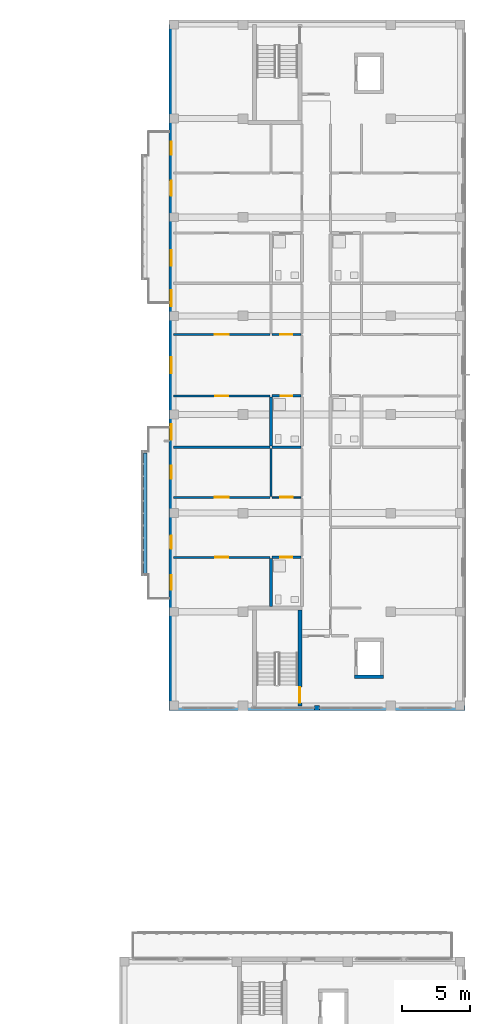
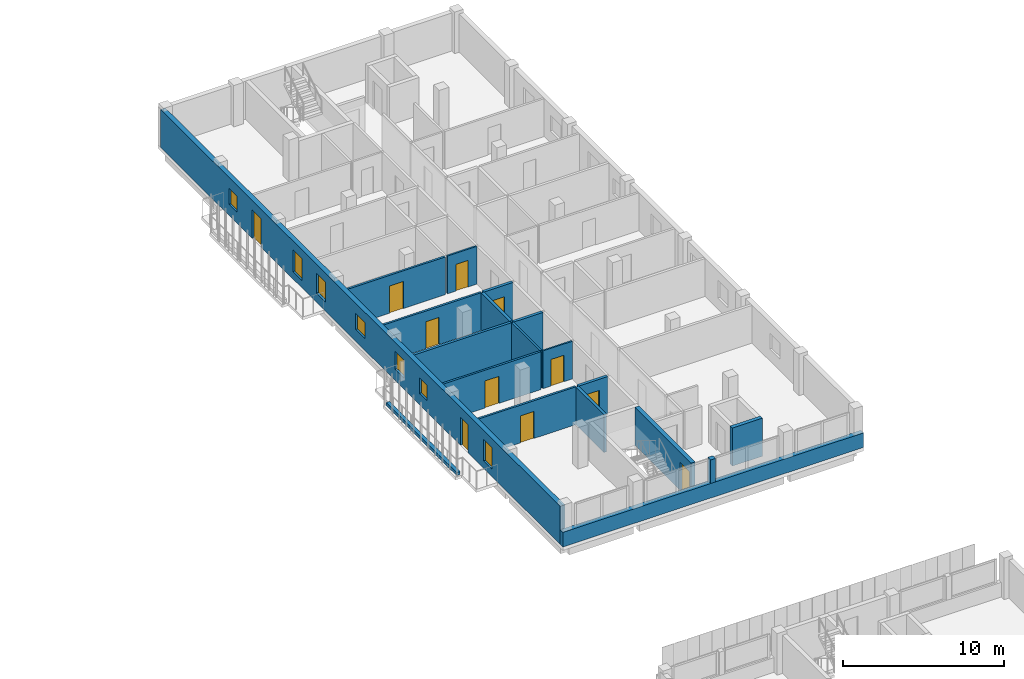
# One storey, part 36 of 56: 19 walls, 11 doors, 7 windows, 18 openings.
"""IFC4 building model written with IfcOpenShell, lengths in metres."""

from ifc_helpers import new_model, si_unit, derived_unit, direction, frame, frame_2d, origin, place, context, subcontext, project, spatial, rectangle, extrude, material, layer, layer_set, type_object, element, fill, save


model = new_model("IFC4")

# Units and contexts
model_context = context("Model", 3, precision=1e-05, world=origin(), true_north=direction((0.0, 1.0)))
body_context = subcontext(model_context, "Body", "Model", "MODEL_VIEW")
ifc_project = project(units=[si_unit("LENGTHUNIT", "METRE"), si_unit("AREAUNIT", "SQUARE_METRE"), si_unit("VOLUMEUNIT", "CUBIC_METRE"), si_unit("PLANEANGLEUNIT", "RADIAN"), si_unit("MASSUNIT", "GRAM", prefix="KILO"), derived_unit("THERMALTRANSMITTANCEUNIT", [(si_unit("MASSUNIT", "GRAM", prefix="KILO"), 1), (si_unit("TIMEUNIT", "SECOND"), -3), (si_unit("THERMODYNAMICTEMPERATUREUNIT", "KELVIN"), -1)])], contexts=[model_context])

# Site, building, storey
site_placement = place(None, origin())
site = spatial("IfcSite", under=ifc_project, at=site_placement, CompositionType="ELEMENT")
building_placement = place(site_placement, origin())
building = spatial("IfcBuilding", under=site, at=building_placement, Name="Ochrekiln Boulevard Commons", CompositionType="ELEMENT")
storey_placement = place(building_placement, frame((0.0, 0.0, 12.074951171875)))
storey = spatial("IfcBuildingStorey", under=building, at=storey_placement, Name="L03", CompositionType="ELEMENT", Elevation=12.074951171875)

# Wall, openings, doors, windows
ifc_material_1 = material(Name="Iron-spot brown clinker brick masonry ASTM C216 Grade SW", Category="masonry")
ifc_layer_1 = layer(ifc_material_1, 0.340087890625)
ifc_layer_set_1 = layer_set([ifc_layer_1], Name="Iron-spot brown clinker brick masonry ASTM C216 Grade SW")
wall_type_1 = type_object("IfcWallType", Name="WL-EXT-IRON-340", PredefinedType="SOLIDWALL", material=ifc_layer_set_1)
wall_1_placement = place(storey_placement, frame((151.3701171875, 68.739990234375, 0.0), z_axis=(0.0, 0.0, 1.0), x_axis=(0.0, 1.0, 0.0)))
wall_1 = element("IfcWall", 1, at=wall_1_placement, inside=storey, type_object=wall_type_1, Name="Block B L03 W Exterior Wall", PredefinedType="SOLIDWALL", context=body_context, shape_type="SweptSolid", body=[
    extrude(rectangle(XDim=49.719970703125, YDim=0.340087890625, at=frame_2d((24.85986328125, 0.0))), origin(), (0.0, 0.0, 1.0), 2.89013671875),
])
opening_1_placement = place(wall_1_placement, frame((11.4619140625, 0.0, 0.0)))
opening_1 = element("IfcOpeningElement", 2, at=opening_1_placement, cuts=wall_1, Name="Opening D-L03-BL025", PredefinedType="OPENING", context=body_context, shape_type="SweptSolid", body=[
    extrude(rectangle(XDim=0.949951171875, YDim=2.14990234375, at=frame_2d((0.47509765625, 1.074951171875))), frame((0.0, 0.179931640625, 0.0), z_axis=(0.0, -1.0, 0.0), x_axis=(1.0, 0.0, 0.0)), (0.0, 0.0, 1.0), 0.360107421875),
])
opening_2_placement = place(wall_1_placement, frame((8.48095703125, 0.0, 0.554931640625)))
opening_2 = element("IfcOpeningElement", 3, at=opening_2_placement, cuts=wall_1, Name="Opening W-09", PredefinedType="OPENING", context=body_context, shape_type="SweptSolid", body=[
    extrude(rectangle(XDim=1.050048828125, YDim=1.64990234375, at=frame_2d((0.52490234375, 0.824951171875))), frame((0.0, 0.179931640625, 0.0), z_axis=(0.0, -1.0, 0.0), x_axis=(1.0, 0.0, 0.0)), (0.0, 0.0, 1.0), 0.360107421875),
])
opening_3_placement = place(wall_1_placement, frame((16.56494140625, 0.0, 0.85009765625)))
opening_3 = element("IfcOpeningElement", 4, at=opening_3_placement, cuts=wall_1, Name="Opening W-01", PredefinedType="OPENING", context=body_context, shape_type="SweptSolid", body=[
    extrude(rectangle(XDim=0.949951171875, YDim=1.199951171875, at=frame_2d((0.47509765625, 0.60009765625))), frame((0.0, 0.179931640625, 0.0), z_axis=(0.0, -1.0, 0.0), x_axis=(1.0, 0.0, 0.0)), (0.0, 0.0, 1.0), 0.360107421875),
])
opening_4_placement = place(wall_1_placement, frame((24.284912109375, 0.0, 0.89990234375)))
opening_4 = element("IfcOpeningElement", 5, at=opening_4_placement, cuts=wall_1, Name="Opening W-11", PredefinedType="OPENING", context=body_context, shape_type="SweptSolid", body=[
    extrude(rectangle(XDim=1.14990234375, YDim=1.199951171875, at=frame_2d((0.574951171875, 0.60009765625))), frame((0.0, 0.179931640625, 0.0), z_axis=(0.0, -1.0, 0.0), x_axis=(1.0, 0.0, 0.0)), (0.0, 0.0, 1.0), 0.360107421875),
])
opening_5_placement = place(wall_1_placement, frame((19.403076171875, 0.0, 0.85498046875)))
opening_5 = element("IfcOpeningElement", 6, at=opening_5_placement, cuts=wall_1, Name="Opening W-12", PredefinedType="OPENING", context=body_context, shape_type="SweptSolid", body=[
    extrude(rectangle(XDim=1.14990234375, YDim=1.35009765625, at=frame_2d((0.574951171875, 0.675048828125))), frame((0.0, 0.179931640625, 0.0), z_axis=(0.0, -1.0, 0.0), x_axis=(1.0, 0.0, 0.0)), (0.0, 0.0, 1.0), 0.360107421875),
])
opening_6_placement = place(wall_1_placement, frame((29.1669921875, 0.0, 0.705078125)))
opening_6 = element("IfcOpeningElement", 7, at=opening_6_placement, cuts=wall_1, Name="Opening W-13", PredefinedType="OPENING", context=body_context, shape_type="SweptSolid", body=[
    extrude(rectangle(XDim=1.14990234375, YDim=1.5, at=frame_2d((0.574951171875, 0.75))), frame((0.0, 0.179931640625, 0.0), z_axis=(0.0, -1.0, 0.0), x_axis=(1.0, 0.0, 0.0)), (0.0, 0.0, 1.0), 0.360107421875),
])
opening_7_placement = place(wall_1_placement, frame((37.242919921875, 0.0, 0.0)))
opening_7 = element("IfcOpeningElement", 8, at=opening_7_placement, cuts=wall_1, Name="Opening D-L03-BL026", PredefinedType="OPENING", context=body_context, shape_type="SweptSolid", body=[
    extrude(rectangle(XDim=1.080078125, YDim=2.179931640625, at=frame_2d((0.5400390625, 1.08984375))), frame((0.0, 0.179931640625, 0.0), z_axis=(0.0, -1.0, 0.0), x_axis=(1.0, 0.0, 0.0)), (0.0, 0.0, 1.0), 0.360107421875),
])
opening_8_placement = place(wall_1_placement, frame((32.10595703125, 0.0, 0.554931640625)))
opening_8 = element("IfcOpeningElement", 9, at=opening_8_placement, cuts=wall_1, Name="Opening W-14", PredefinedType="OPENING", context=body_context, shape_type="SweptSolid", body=[
    extrude(rectangle(XDim=1.14990234375, YDim=1.64990234375, at=frame_2d((0.574951171875, 0.824951171875))), frame((0.0, 0.179931640625, 0.0), z_axis=(0.0, -1.0, 0.0), x_axis=(1.0, 0.0, 0.0)), (0.0, 0.0, 1.0), 0.360107421875),
])
opening_9_placement = place(wall_1_placement, frame((40.239013671875, 0.0, 0.85009765625)))
opening_9 = element("IfcOpeningElement", 10, at=opening_9_placement, cuts=wall_1, Name="Opening W-01", PredefinedType="OPENING", context=body_context, shape_type="SweptSolid", body=[
    extrude(rectangle(XDim=0.949951171875, YDim=1.199951171875, at=frame_2d((0.47509765625, 0.60009765625))), frame((0.0, 0.179931640625, 0.0), z_axis=(0.0, -1.0, 0.0), x_axis=(1.0, 0.0, 0.0)), (0.0, 0.0, 1.0), 0.360107421875),
])
ifc_material_2 = material(Name="Thermally broken aluminium-clad oak frame", Category="aluminium")
door_type_1 = type_object("IfcDoorType", Name="DR-EXT-BAL-095", OperationType="NOTDEFINED", PredefinedType="DOOR", material=ifc_material_2)
door_1_placement = place(opening_1_placement, origin())
door_1 = element("IfcDoor", 11, at=door_1_placement, inside=storey, type_object=door_type_1, Name="Block B L03 Glazed Balcony Patio Door", OperationType="SINGLE_SWING_RIGHT", OverallHeight=2.14990234375, OverallWidth=0.949951171875, PredefinedType="DOOR", context=body_context, shape_type="SweptSolid", body=[
    extrude(rectangle(XDim=0.949951171875, YDim=2.14990234375, at=frame_2d((0.47509765625, 1.074951171875))), frame((0.0, 0.02490234375, 0.0), z_axis=(0.0, -1.0, 0.0), x_axis=(1.0, 0.0, 0.0)), (0.0, 0.0, 1.0), 0.050048828125),
])
fill(opening_1, door_1)
door_type_2 = type_object("IfcDoorType", Name="DR-EXT-BAL-108", OperationType="NOTDEFINED", PredefinedType="DOOR", material=ifc_material_2)
door_2_placement = place(opening_7_placement, origin())
door_2 = element("IfcDoor", 12, at=door_2_placement, inside=storey, type_object=door_type_2, Name="Block B L03 Glazed Balcony Patio Door", OperationType="SINGLE_SWING_LEFT", OverallHeight=2.179931640625, OverallWidth=1.080078125, PredefinedType="DOOR", context=body_context, shape_type="SweptSolid", body=[
    extrude(rectangle(XDim=1.080078125, YDim=2.179931640625, at=frame_2d((0.5400390625, 1.08984375))), frame((0.0, 0.02490234375, 0.0), z_axis=(0.0, -1.0, 0.0), x_axis=(1.0, 0.0, 0.0)), (0.0, 0.0, 1.0), 0.050048828125),
])
fill(opening_7, door_2)
window_type_1 = type_object("IfcWindowType", Name="WIN-EXT-01", PartitioningType="SINGLE_PANEL", PredefinedType="WINDOW", material=ifc_material_2)
window_1_placement = place(opening_3_placement, origin())
window_1 = element("IfcWindow", 13, at=window_1_placement, inside=storey, type_object=window_type_1, Name="Block B L03 Punched Masonry Window W-01", OverallHeight=1.199951171875, OverallWidth=0.949951171875, PartitioningType="SINGLE_PANEL", PredefinedType="WINDOW", context=body_context, shape_type="SweptSolid", body=[
    extrude(rectangle(XDim=0.949951171875, YDim=1.199951171875, at=frame_2d((0.47509765625, 0.60009765625))), frame((0.0, 0.030029296875, 0.0), z_axis=(0.0, -1.0, 0.0), x_axis=(1.0, 0.0, 0.0)), (0.0, 0.0, 1.0), 0.06005859375),
])
fill(opening_3, window_1)
window_2_placement = place(opening_9_placement, origin())
window_2 = element("IfcWindow", 14, at=window_2_placement, inside=storey, type_object=window_type_1, Name="Block B L03 Punched Masonry Window W-01", OverallHeight=1.199951171875, OverallWidth=0.949951171875, PartitioningType="SINGLE_PANEL", PredefinedType="WINDOW", context=body_context, shape_type="SweptSolid", body=[
    extrude(rectangle(XDim=0.949951171875, YDim=1.199951171875, at=frame_2d((0.47509765625, 0.60009765625))), frame((0.0, 0.030029296875, 0.0), z_axis=(0.0, -1.0, 0.0), x_axis=(1.0, 0.0, 0.0)), (0.0, 0.0, 1.0), 0.06005859375),
])
fill(opening_9, window_2)
window_type_2 = type_object("IfcWindowType", Name="WIN-EXT-09", PartitioningType="SINGLE_PANEL", PredefinedType="WINDOW", material=ifc_material_2)
window_3_placement = place(opening_2_placement, origin())
window_3 = element("IfcWindow", 15, at=window_3_placement, inside=storey, type_object=window_type_2, Name="Block B L03 Punched Masonry Window W-09", OverallHeight=1.64990234375, OverallWidth=1.050048828125, PartitioningType="SINGLE_PANEL", PredefinedType="WINDOW", context=body_context, shape_type="SweptSolid", body=[
    extrude(rectangle(XDim=1.050048828125, YDim=1.64990234375, at=frame_2d((0.52490234375, 0.824951171875))), frame((0.0, 0.030029296875, 0.0), z_axis=(0.0, -1.0, 0.0), x_axis=(1.0, 0.0, 0.0)), (0.0, 0.0, 1.0), 0.06005859375),
])
fill(opening_2, window_3)
window_type_3 = type_object("IfcWindowType", Name="WIN-EXT-11", PartitioningType="SINGLE_PANEL", PredefinedType="WINDOW", material=ifc_material_2)
window_4_placement = place(opening_4_placement, origin())
window_4 = element("IfcWindow", 16, at=window_4_placement, inside=storey, type_object=window_type_3, Name="Block B L03 Punched Masonry Window W-11", OverallHeight=1.199951171875, OverallWidth=1.14990234375, PartitioningType="SINGLE_PANEL", PredefinedType="WINDOW", context=body_context, shape_type="SweptSolid", body=[
    extrude(rectangle(XDim=1.14990234375, YDim=1.199951171875, at=frame_2d((0.574951171875, 0.60009765625))), frame((0.0, 0.030029296875, 0.0), z_axis=(0.0, -1.0, 0.0), x_axis=(1.0, 0.0, 0.0)), (0.0, 0.0, 1.0), 0.06005859375),
])
fill(opening_4, window_4)
window_type_4 = type_object("IfcWindowType", Name="WIN-EXT-12", PartitioningType="SINGLE_PANEL", PredefinedType="WINDOW", material=ifc_material_2)
window_5_placement = place(opening_5_placement, origin())
window_5 = element("IfcWindow", 17, at=window_5_placement, inside=storey, type_object=window_type_4, Name="Block B L03 Punched Masonry Window W-12", OverallHeight=1.35009765625, OverallWidth=1.14990234375, PartitioningType="SINGLE_PANEL", PredefinedType="WINDOW", context=body_context, shape_type="SweptSolid", body=[
    extrude(rectangle(XDim=1.14990234375, YDim=1.35009765625, at=frame_2d((0.574951171875, 0.675048828125))), frame((0.0, 0.030029296875, 0.0), z_axis=(0.0, -1.0, 0.0), x_axis=(1.0, 0.0, 0.0)), (0.0, 0.0, 1.0), 0.06005859375),
])
fill(opening_5, window_5)
window_type_5 = type_object("IfcWindowType", Name="WIN-EXT-13", PartitioningType="SINGLE_PANEL", PredefinedType="WINDOW", material=ifc_material_2)
window_6_placement = place(opening_6_placement, origin())
window_6 = element("IfcWindow", 18, at=window_6_placement, inside=storey, type_object=window_type_5, Name="Block B L03 Punched Masonry Window W-13", OverallHeight=1.5, OverallWidth=1.14990234375, PartitioningType="SINGLE_PANEL", PredefinedType="WINDOW", context=body_context, shape_type="SweptSolid", body=[
    extrude(rectangle(XDim=1.14990234375, YDim=1.5, at=frame_2d((0.574951171875, 0.75))), frame((0.0, 0.030029296875, 0.0), z_axis=(0.0, -1.0, 0.0), x_axis=(1.0, 0.0, 0.0)), (0.0, 0.0, 1.0), 0.06005859375),
])
fill(opening_6, window_6)
window_type_6 = type_object("IfcWindowType", Name="WIN-EXT-14", PartitioningType="SINGLE_PANEL", PredefinedType="WINDOW", material=ifc_material_2)
window_7_placement = place(opening_8_placement, origin())
window_7 = element("IfcWindow", 19, at=window_7_placement, inside=storey, type_object=window_type_6, Name="Block B L03 Punched Masonry Window W-14", OverallHeight=1.64990234375, OverallWidth=1.14990234375, PartitioningType="SINGLE_PANEL", PredefinedType="WINDOW", context=body_context, shape_type="SweptSolid", body=[
    extrude(rectangle(XDim=1.14990234375, YDim=1.64990234375, at=frame_2d((0.574951171875, 0.824951171875))), frame((0.0, 0.030029296875, 0.0), z_axis=(0.0, -1.0, 0.0), x_axis=(1.0, 0.0, 0.0)), (0.0, 0.0, 1.0), 0.06005859375),
])
fill(opening_8, window_7)

# Walls
wall_2_placement = place(storey_placement, frame((151.199951171875, 68.570068359375, 0.0), z_axis=(0.0, 0.0, 1.0), x_axis=(1.0, 0.0, 0.0)))
element("IfcWall", 20, at=wall_2_placement, inside=storey, type_object=wall_type_1, Name="Block B L03 Courtyard Gable Sill Wall", PredefinedType="SOLIDWALL", context=body_context, shape_type="SweptSolid", body=[
    extrude(rectangle(XDim=21.60009765625, YDim=0.340087890625, at=frame_2d((10.800048828125, 0.0))), origin(), (0.0, 0.0, 1.0), 1.110107421875),
])
wall_3_placement = place(storey_placement, frame((161.820068359375, 68.570068359375, 1.110107421875), z_axis=(0.0, 0.0, 1.0), x_axis=(1.0, 0.0, 0.0)))
element("IfcWall", 21, at=wall_3_placement, inside=storey, type_object=wall_type_1, Name="Block B L03 Courtyard Gable Mullion Pier", PredefinedType="SOLIDWALL", context=body_context, shape_type="SweptSolid", body=[
    extrude(rectangle(XDim=0.35986328125, YDim=0.340087890625, at=frame_2d((0.179931640625, 0.0))), origin(), (0.0, 0.0, 1.0), 1.780029296875),
])

# Wall, opening, door
ifc_material_3 = material(Name="Moisture-resistant cementitious tile backer wall")
ifc_layer_2 = layer(ifc_material_3, 0.199951171875)
ifc_layer_set_2 = layer_set([ifc_layer_2], Name="Moisture-resistant cementitious tile backer wall")
wall_type_2 = type_object("IfcWallType", Name="WL-PLM-200", PredefinedType="PLUMBINGWALL", material=ifc_layer_set_2)
wall_4_placement = place(storey_placement, frame((158.719970703125, 79.572998046875, 0.0), z_axis=(0.0, 0.0, 1.0), x_axis=(1.0, 0.0, 0.0)))
wall_4 = element("IfcWall", 22, at=wall_4_placement, inside=storey, type_object=wall_type_2, Name="L03 Interior Wall W-PW200", PredefinedType="PLUMBINGWALL", context=body_context, shape_type="SweptSolid", body=[
    extrude(rectangle(XDim=2.10693359375, YDim=0.199951171875, at=frame_2d((1.053466796875, 0.0))), origin(), (0.0, 0.0, 1.0), 2.8701171875),
])
opening_10_placement = place(wall_4_placement, frame((0.60498046875, 0.0, 0.0)))
opening_10 = element("IfcOpeningElement", 23, at=opening_10_placement, cuts=wall_4, Name="Opening D-L03-482", PredefinedType="OPENING", context=body_context, shape_type="SweptSolid", body=[
    extrude(rectangle(XDim=0.889892578125, YDim=2.030029296875, at=frame_2d((0.44482421875, 1.01513671875))), frame((0.0, 0.10986328125, 0.0), z_axis=(0.0, -1.0, 0.0), x_axis=(1.0, 0.0, 0.0)), (0.0, 0.0, 1.0), 0.219970703125),
])
ifc_material_4 = material(Name="Solid core architectural oak door leaf")
door_type_3 = type_object("IfcDoorType", Name="DR-INT-BTH-089", OperationType="NOTDEFINED", PredefinedType="DOOR", material=ifc_material_4)
door_3_placement = place(opening_10_placement, frame((0.889892578125, 0.0, 0.0), z_axis=(0.0, 0.0, 1.0), x_axis=(-1.0, 0.0, 0.0)))
door_3 = element("IfcDoor", 24, at=door_3_placement, inside=storey, type_object=door_type_3, Name="L03 Interior Door to Accessible Apartment Bathroom", OperationType="SINGLE_SWING_RIGHT", OverallHeight=2.030029296875, OverallWidth=0.889892578125, PredefinedType="DOOR", context=body_context, shape_type="SweptSolid", body=[
    extrude(rectangle(XDim=0.889892578125, YDim=2.030029296875, at=frame_2d((0.44482421875, 1.01513671875))), frame((0.0, 0.02490234375, 0.0), z_axis=(0.0, -1.0, 0.0), x_axis=(1.0, 0.0, 0.0)), (0.0, 0.0, 1.0), 0.050048828125),
])
fill(opening_10, door_3)

# Walls
wall_5_placement = place(storey_placement, frame((158.639892578125, 76.0, 0.0), z_axis=(0.0, 0.0, 1.0), x_axis=(0.0, 1.0, 0.0)))
element("IfcWall", 25, at=wall_5_placement, inside=storey, type_object=wall_type_2, Name="L03 Interior Wall W-PW200", PredefinedType="PLUMBINGWALL", context=body_context, shape_type="SweptSolid", body=[
    extrude(rectangle(XDim=3.492919921875, YDim=0.199951171875, at=frame_2d((1.74658203125, 0.0))), origin(), (0.0, 0.0, 1.0), 2.8701171875),
])
wall_6_placement = place(storey_placement, frame((158.715087890625, 87.615966796875, 0.0), z_axis=(0.0, 0.0, 1.0), x_axis=(1.0, 0.0, 0.0)))
element("IfcWall", 26, at=wall_6_placement, inside=storey, type_object=wall_type_2, Name="L03 Interior Wall W-PW200", PredefinedType="PLUMBINGWALL", context=body_context, shape_type="SweptSolid", body=[
    extrude(rectangle(XDim=2.11181640625, YDim=0.199951171875, at=frame_2d((1.055908203125, 0.0))), origin(), (0.0, 0.0, 1.0), 2.8701171875),
])

# Wall, opening, door
wall_7_placement = place(storey_placement, frame((158.719970703125, 91.360107421875, 0.0), z_axis=(0.0, 0.0, 1.0), x_axis=(1.0, 0.0, 0.0)))
wall_7 = element("IfcWall", 27, at=wall_7_placement, inside=storey, type_object=wall_type_2, Name="L03 Interior Wall W-PW200", PredefinedType="PLUMBINGWALL", context=body_context, shape_type="SweptSolid", body=[
    extrude(rectangle(XDim=2.10693359375, YDim=0.199951171875, at=frame_2d((1.053466796875, 0.0))), origin(), (0.0, 0.0, 1.0), 2.8701171875),
])
opening_11_placement = place(wall_7_placement, frame((0.6201171875, 0.0, 0.0)))
opening_11 = element("IfcOpeningElement", 28, at=opening_11_placement, cuts=wall_7, Name="Opening D-L03-486", PredefinedType="OPENING", context=body_context, shape_type="SweptSolid", body=[
    extrude(rectangle(XDim=0.860107421875, YDim=2.0, at=frame_2d((0.43017578125, 1.0))), frame((0.0, 0.10986328125, 0.0), z_axis=(0.0, -1.0, 0.0), x_axis=(1.0, 0.0, 0.0)), (0.0, 0.0, 1.0), 0.219970703125),
])
door_type_4 = type_object("IfcDoorType", Name="DR-INT-BTH-086", OperationType="NOTDEFINED", PredefinedType="DOOR", material=ifc_material_4)
door_4_placement = place(opening_11_placement, frame((0.860107421875, 0.0, 0.0), z_axis=(0.0, 0.0, 1.0), x_axis=(-1.0, 0.0, 0.0)))
door_4 = element("IfcDoor", 29, at=door_4_placement, inside=storey, type_object=door_type_4, Name="L03 Interior Door to Apartment Bathroom", OperationType="SINGLE_SWING_RIGHT", OverallHeight=2.0, OverallWidth=0.860107421875, PredefinedType="DOOR", context=body_context, shape_type="SweptSolid", body=[
    extrude(rectangle(XDim=0.860107421875, YDim=2.0, at=frame_2d((0.43017578125, 1.0))), frame((0.0, 0.02490234375, 0.0), z_axis=(0.0, -1.0, 0.0), x_axis=(1.0, 0.0, 0.0)), (0.0, 0.0, 1.0), 0.050048828125),
])
fill(opening_11, door_4)

# Walls
wall_8_placement = place(storey_placement, frame((158.639892578125, 87.7060546875, 0.0), z_axis=(0.0, 0.0, 1.0), x_axis=(0.0, 1.0, 0.0)))
element("IfcWall", 30, at=wall_8_placement, inside=storey, type_object=wall_type_2, Name="L03 Interior Wall W-PW200", PredefinedType="PLUMBINGWALL", context=body_context, shape_type="SweptSolid", body=[
    extrude(rectangle(XDim=3.573974609375, YDim=0.199951171875, at=frame_2d((1.787109375, 0.0))), origin(), (0.0, 0.0, 1.0), 2.8701171875),
])
ifc_material_5 = material(Name="Glazed architectural terracotta ASTM C1405", Category="masonry")
ifc_layer_3 = layer(ifc_material_5, 0.25)
ifc_layer_set_3 = layer_set([ifc_layer_3], Name="Glazed architectural terracotta ASTM C1405")
wall_type_3 = type_object("IfcWallType", Name="WL-PLN-250", PredefinedType="PARAPET", material=ifc_layer_set_3)
wall_9_placement = place(storey_placement, frame((149.47998046875, 78.409912109375, 0.0), z_axis=(0.0, 0.0, 1.0), x_axis=(0.0, 1.0, 0.0)))
element("IfcWall", 31, at=wall_9_placement, inside=storey, type_object=wall_type_3, Name="Block B L03 Balcony Terracotta Planter Box 1", PredefinedType="PARAPET", context=body_context, shape_type="SweptSolid", body=[
    extrude(rectangle(XDim=8.780029296875, YDim=0.25, at=frame_2d((4.39013671875, 0.0))), origin(), (0.0, 0.0, 1.0), 0.22998046875),
])
ifc_material_6 = material(Name="Fire-rated Type X gypsum board on steel studs", Category="steel")
ifc_layer_4 = layer(ifc_material_6, 0.179931640625)
ifc_layer_set_4 = layer_set([ifc_layer_4], Name="Fire-rated Type X gypsum board on steel studs")
wall_type_4 = type_object("IfcWallType", Name="WL-PT-DEM-180", PredefinedType="PARTITIONING", material=ifc_layer_set_4)
wall_10_placement = place(storey_placement, frame((151.5400390625, 87.615966796875, 0.0), z_axis=(0.0, 0.0, 1.0), x_axis=(1.0, 0.0, 0.0)))
element("IfcWall", 32, at=wall_10_placement, inside=storey, type_object=wall_type_4, Name="L03 Interior Wall W-PD180", PredefinedType="PARTITIONING", context=body_context, shape_type="SweptSolid", body=[
    extrude(rectangle(XDim=7.02001953125, YDim=0.179931640625, at=frame_2d((3.510009765625, 0.0))), origin(), (0.0, 0.0, 1.0), 2.8701171875),
])

# Wall, opening, door
ifc_layer_5 = layer(ifc_material_6, 0.1201171875)
ifc_layer_set_5 = layer_set([ifc_layer_5], Name="Fire-rated Type X gypsum board on steel studs")
wall_type_5 = type_object("IfcWallType", Name="WL-PT-LGT-120", PredefinedType="PARTITIONING", material=ifc_layer_set_5)
wall_11_placement = place(storey_placement, frame((158.719970703125, 83.952880859375, 0.0), z_axis=(0.0, 0.0, 1.0), x_axis=(1.0, 0.0, 0.0)))
wall_11 = element("IfcWall", 33, at=wall_11_placement, inside=storey, type_object=wall_type_5, Name="L03 Interior Wall W-PL120", PredefinedType="PARTITIONING", context=body_context, shape_type="SweptSolid", body=[
    extrude(rectangle(XDim=2.10693359375, YDim=0.1201171875, at=frame_2d((1.053466796875, 0.0))), origin(), (0.0, 0.0, 1.0), 2.8701171875),
])
opening_12_placement = place(wall_11_placement, frame((0.590087890625, 0.0, 0.0)))
opening_12 = element("IfcOpeningElement", 34, at=opening_12_placement, cuts=wall_11, Name="Opening D-L03-483", PredefinedType="OPENING", context=body_context, shape_type="SweptSolid", body=[
    extrude(rectangle(XDim=0.919921875, YDim=2.02001953125, at=frame_2d((0.4599609375, 1.010009765625))), frame((0.0, 0.070068359375, 0.0), z_axis=(0.0, -1.0, 0.0), x_axis=(1.0, 0.0, 0.0)), (0.0, 0.0, 1.0), 0.14013671875),
])
door_type_5 = type_object("IfcDoorType", Name="DR-INT-KIT-092", OperationType="NOTDEFINED", PredefinedType="DOOR", material=ifc_material_4)
door_5_placement = place(opening_12_placement, origin())
door_5 = element("IfcDoor", 35, at=door_5_placement, inside=storey, type_object=door_type_5, Name="L03 Interior Door to Apartment Kitchen", OperationType="SINGLE_SWING_LEFT", OverallHeight=2.02001953125, OverallWidth=0.919921875, PredefinedType="DOOR", context=body_context, shape_type="SweptSolid", body=[
    extrude(rectangle(XDim=0.919921875, YDim=2.02001953125, at=frame_2d((0.4599609375, 1.010009765625))), frame((0.0, 0.02490234375, 0.0), z_axis=(0.0, -1.0, 0.0), x_axis=(1.0, 0.0, 0.0)), (0.0, 0.0, 1.0), 0.050048828125),
])
fill(opening_12, door_5)

wall_12_placement = place(storey_placement, frame((158.719970703125, 95.840087890625, 0.0), z_axis=(0.0, 0.0, 1.0), x_axis=(1.0, 0.0, 0.0)))
wall_12 = element("IfcWall", 36, at=wall_12_placement, inside=storey, type_object=wall_type_5, Name="L03 Interior Wall W-PL120", PredefinedType="PARTITIONING", context=body_context, shape_type="SweptSolid", body=[
    extrude(rectangle(XDim=2.10693359375, YDim=0.1201171875, at=frame_2d((1.053466796875, 0.0))), origin(), (0.0, 0.0, 1.0), 2.8701171875),
])
opening_13_placement = place(wall_12_placement, frame((0.610107421875, 0.0, 0.0)))
opening_13 = element("IfcOpeningElement", 37, at=opening_13_placement, cuts=wall_12, Name="Opening D-L03-487", PredefinedType="OPENING", context=body_context, shape_type="SweptSolid", body=[
    extrude(rectangle(XDim=0.8798828125, YDim=2.02001953125, at=frame_2d((0.43994140625, 1.010009765625))), frame((0.0, 0.070068359375, 0.0), z_axis=(0.0, -1.0, 0.0), x_axis=(1.0, 0.0, 0.0)), (0.0, 0.0, 1.0), 0.14013671875),
])
door_type_6 = type_object("IfcDoorType", Name="DR-INT-KIT-088", OperationType="NOTDEFINED", PredefinedType="DOOR", material=ifc_material_4)
door_6_placement = place(opening_13_placement, origin())
door_6 = element("IfcDoor", 38, at=door_6_placement, inside=storey, type_object=door_type_6, Name="L03 Interior Door to Apartment Kitchen", OperationType="SINGLE_SWING_LEFT", OverallHeight=2.02001953125, OverallWidth=0.8798828125, PredefinedType="DOOR", context=body_context, shape_type="SweptSolid", body=[
    extrude(rectangle(XDim=0.8798828125, YDim=2.02001953125, at=frame_2d((0.43994140625, 1.010009765625))), frame((0.0, 0.02490234375, 0.0), z_axis=(0.0, -1.0, 0.0), x_axis=(1.0, 0.0, 0.0)), (0.0, 0.0, 1.0), 0.050048828125),
])
fill(opening_13, door_6)

ifc_layer_6 = layer(ifc_material_6, 0.14990234375)
ifc_layer_set_6 = layer_set([ifc_layer_6], Name="Fire-rated Type X gypsum board on steel studs")
wall_type_6 = type_object("IfcWallType", Name="WL-PT-STD-150", PredefinedType="PARTITIONING", material=ifc_layer_set_6)
wall_13_placement = place(storey_placement, frame((151.5400390625, 79.572998046875, 0.0), z_axis=(0.0, 0.0, 1.0), x_axis=(1.0, 0.0, 0.0)))
wall_13 = element("IfcWall", 39, at=wall_13_placement, inside=storey, type_object=wall_type_6, Name="L03 Interior Wall W-PS150", PredefinedType="PARTITIONING", context=body_context, shape_type="SweptSolid", body=[
    extrude(rectangle(XDim=7.02001953125, YDim=0.14990234375, at=frame_2d((3.510009765625, 0.0))), origin(), (0.0, 0.0, 1.0), 2.8701171875),
])
opening_14_placement = place(wall_13_placement, frame((3.044921875, 0.0, 0.0)))
opening_14 = element("IfcOpeningElement", 40, at=opening_14_placement, cuts=wall_13, Name="Opening D-L03-484", PredefinedType="OPENING", context=body_context, shape_type="SweptSolid", body=[
    extrude(rectangle(XDim=0.93994140625, YDim=2.06005859375, at=frame_2d((0.469970703125, 1.030029296875))), frame((0.0, 0.0849609375, 0.0), z_axis=(0.0, -1.0, 0.0), x_axis=(1.0, 0.0, 0.0)), (0.0, 0.0, 1.0), 0.169921875),
])
door_type_7 = type_object("IfcDoorType", Name="DR-INT-BED-094", OperationType="NOTDEFINED", PredefinedType="DOOR", material=ifc_material_4)
door_7_placement = place(opening_14_placement, frame((0.93994140625, 0.0, 0.0), z_axis=(0.0, 0.0, 1.0), x_axis=(-1.0, 0.0, 0.0)))
door_7 = element("IfcDoor", 41, at=door_7_placement, inside=storey, type_object=door_type_7, Name="L03 Interior Door to Primary Apartment Bedroom", OperationType="SINGLE_SWING_RIGHT", OverallHeight=2.06005859375, OverallWidth=0.93994140625, PredefinedType="DOOR", context=body_context, shape_type="SweptSolid", body=[
    extrude(rectangle(XDim=0.93994140625, YDim=2.06005859375, at=frame_2d((0.469970703125, 1.030029296875))), frame((0.0, 0.02490234375, 0.0), z_axis=(0.0, -1.0, 0.0), x_axis=(1.0, 0.0, 0.0)), (0.0, 0.0, 1.0), 0.050048828125),
])
fill(opening_14, door_7)

wall_14_placement = place(storey_placement, frame((151.5400390625, 83.952880859375, 0.0), z_axis=(0.0, 0.0, 1.0), x_axis=(1.0, 0.0, 0.0)))
wall_14 = element("IfcWall", 42, at=wall_14_placement, inside=storey, type_object=wall_type_6, Name="L03 Interior Wall W-PS150", PredefinedType="PARTITIONING", context=body_context, shape_type="SweptSolid", body=[
    extrude(rectangle(XDim=7.02001953125, YDim=0.14990234375, at=frame_2d((3.510009765625, 0.0))), origin(), (0.0, 0.0, 1.0), 2.8701171875),
])
opening_15_placement = place(wall_14_placement, frame((3.014892578125, 0.0, 0.0)))
opening_15 = element("IfcOpeningElement", 43, at=opening_15_placement, cuts=wall_14, Name="Opening D-L03-485", PredefinedType="OPENING", context=body_context, shape_type="SweptSolid", body=[
    extrude(rectangle(XDim=1.0, YDim=2.06005859375, at=frame_2d((0.5, 1.030029296875))), frame((0.0, 0.0849609375, 0.0), z_axis=(0.0, -1.0, 0.0), x_axis=(1.0, 0.0, 0.0)), (0.0, 0.0, 1.0), 0.169921875),
])
door_type_8 = type_object("IfcDoorType", Name="DR-INT-BED-100", OperationType="NOTDEFINED", PredefinedType="DOOR", material=ifc_material_4)
door_8_placement = place(opening_15_placement, origin())
door_8 = element("IfcDoor", 44, at=door_8_placement, inside=storey, type_object=door_type_8, Name="L03 Interior Door to Secondary Apartment Bedroom", OperationType="SINGLE_SWING_LEFT", OverallHeight=2.06005859375, OverallWidth=1.0, PredefinedType="DOOR", context=body_context, shape_type="SweptSolid", body=[
    extrude(rectangle(XDim=1.0, YDim=2.06005859375, at=frame_2d((0.5, 1.030029296875))), frame((0.0, 0.02490234375, 0.0), z_axis=(0.0, -1.0, 0.0), x_axis=(1.0, 0.0, 0.0)), (0.0, 0.0, 1.0), 0.050048828125),
])
fill(opening_15, door_8)

# Wall
wall_15_placement = place(storey_placement, frame((158.639892578125, 84.012939453125, 0.0), z_axis=(0.0, 0.0, 1.0), x_axis=(0.0, 1.0, 0.0)))
element("IfcWall", 45, at=wall_15_placement, inside=storey, type_object=wall_type_6, Name="L03 Interior Wall W-PS150", PredefinedType="PARTITIONING", context=body_context, shape_type="SweptSolid", body=[
    extrude(rectangle(XDim=3.512939453125, YDim=0.14990234375, at=frame_2d((1.75634765625, 0.0))), origin(), (0.0, 0.0, 1.0), 2.8701171875),
])

# Wall, opening, door
wall_16_placement = place(storey_placement, frame((151.5400390625, 91.360107421875, 0.0), z_axis=(0.0, 0.0, 1.0), x_axis=(1.0, 0.0, 0.0)))
wall_16 = element("IfcWall", 46, at=wall_16_placement, inside=storey, type_object=wall_type_6, Name="L03 Interior Wall W-PS150", PredefinedType="PARTITIONING", context=body_context, shape_type="SweptSolid", body=[
    extrude(rectangle(XDim=7.02001953125, YDim=0.14990234375, at=frame_2d((3.510009765625, 0.0))), origin(), (0.0, 0.0, 1.0), 2.8701171875),
])
opening_16_placement = place(wall_16_placement, frame((3.044921875, 0.0, 0.0)))
opening_16 = element("IfcOpeningElement", 47, at=opening_16_placement, cuts=wall_16, Name="Opening D-L03-488", PredefinedType="OPENING", context=body_context, shape_type="SweptSolid", body=[
    extrude(rectangle(XDim=0.93994140625, YDim=2.06005859375, at=frame_2d((0.469970703125, 1.030029296875))), frame((0.0, 0.0849609375, 0.0), z_axis=(0.0, -1.0, 0.0), x_axis=(1.0, 0.0, 0.0)), (0.0, 0.0, 1.0), 0.169921875),
])
door_9_placement = place(opening_16_placement, frame((0.93994140625, 0.0, 0.0), z_axis=(0.0, 0.0, 1.0), x_axis=(-1.0, 0.0, 0.0)))
door_9 = element("IfcDoor", 48, at=door_9_placement, inside=storey, type_object=door_type_7, Name="L03 Interior Door to Primary Apartment Bedroom", OperationType="SINGLE_SWING_RIGHT", OverallHeight=2.06005859375, OverallWidth=0.93994140625, PredefinedType="DOOR", context=body_context, shape_type="SweptSolid", body=[
    extrude(rectangle(XDim=0.93994140625, YDim=2.06005859375, at=frame_2d((0.469970703125, 1.030029296875))), frame((0.0, 0.02490234375, 0.0), z_axis=(0.0, -1.0, 0.0), x_axis=(1.0, 0.0, 0.0)), (0.0, 0.0, 1.0), 0.050048828125),
])
fill(opening_16, door_9)

wall_17_placement = place(storey_placement, frame((151.5400390625, 95.840087890625, 0.0), z_axis=(0.0, 0.0, 1.0), x_axis=(1.0, 0.0, 0.0)))
wall_17 = element("IfcWall", 49, at=wall_17_placement, inside=storey, type_object=wall_type_6, Name="L03 Interior Wall W-PS150", PredefinedType="PARTITIONING", context=body_context, shape_type="SweptSolid", body=[
    extrude(rectangle(XDim=7.02001953125, YDim=0.14990234375, at=frame_2d((3.510009765625, 0.0))), origin(), (0.0, 0.0, 1.0), 2.8701171875),
])
opening_17_placement = place(wall_17_placement, frame((3.014892578125, 0.0, 0.0)))
opening_17 = element("IfcOpeningElement", 50, at=opening_17_placement, cuts=wall_17, Name="Opening D-L03-489", PredefinedType="OPENING", context=body_context, shape_type="SweptSolid", body=[
    extrude(rectangle(XDim=1.0, YDim=2.06005859375, at=frame_2d((0.5, 1.030029296875))), frame((0.0, 0.0849609375, 0.0), z_axis=(0.0, -1.0, 0.0), x_axis=(1.0, 0.0, 0.0)), (0.0, 0.0, 1.0), 0.169921875),
])
door_10_placement = place(opening_17_placement, origin())
door_10 = element("IfcDoor", 51, at=door_10_placement, inside=storey, type_object=door_type_8, Name="L03 Interior Door to Secondary Apartment Bedroom", OperationType="SINGLE_SWING_LEFT", OverallHeight=2.06005859375, OverallWidth=1.0, PredefinedType="DOOR", context=body_context, shape_type="SweptSolid", body=[
    extrude(rectangle(XDim=1.0, YDim=2.06005859375, at=frame_2d((0.5, 1.030029296875))), frame((0.0, 0.02490234375, 0.0), z_axis=(0.0, -1.0, 0.0), x_axis=(1.0, 0.0, 0.0)), (0.0, 0.0, 1.0), 0.050048828125),
])
fill(opening_17, door_10)

# Wall
ifc_material_7 = material(Name="Concrete C40/50", Category="concrete")
ifc_layer_7 = layer(ifc_material_7, 0.27490234375)
ifc_layer_set_7 = layer_set([ifc_layer_7], Name="Concrete C40/50")
wall_type_7 = type_object("IfcWallType", Name="WL-SH-275", PredefinedType="SHEAR", material=ifc_layer_set_7)
wall_18_placement = place(storey_placement, frame((164.72509765625, 70.862548828125, 0.0), z_axis=(0.0, 0.0, 1.0), x_axis=(1.0, 0.0, 0.0)))
element("IfcWall", 52, at=wall_18_placement, inside=storey, type_object=wall_type_7, Name="Elevator FF-B1 L03 Hoistway Shear Wall", PredefinedType="SHEAR", context=body_context, shape_type="SweptSolid", body=[
    extrude(rectangle(XDim=2.14990234375, YDim=0.27490234375, at=frame_2d((1.074951171875, 0.0))), origin(), (0.0, 0.0, 1.0), 2.89013671875),
])

# Wall, opening, door
ifc_layer_8 = layer(ifc_material_7, 0.300048828125)
ifc_layer_set_8 = layer_set([ifc_layer_8], Name="Concrete C40/50")
wall_type_8 = type_object("IfcWallType", Name="WL-SH-300", PredefinedType="SHEAR", material=ifc_layer_set_8)
wall_19_placement = place(storey_placement, frame((160.75, 68.719970703125, 0.0), z_axis=(0.0, 0.0, 1.0), x_axis=(0.0, 1.0, 0.0)))
wall_19 = element("IfcWall", 53, at=wall_19_placement, inside=storey, type_object=wall_type_8, Name="Stair ST-B1 L03 Core Shear Wall E", PredefinedType="SHEAR", context=body_context, shape_type="SweptSolid", body=[
    extrude(rectangle(XDim=7.0, YDim=0.300048828125, at=frame_2d((3.5, 0.0))), origin(), (0.0, 0.0, 1.0), 2.89013671875),
])
opening_18_placement = place(wall_19_placement, frame((0.22509765625, 0.0, 0.0)))
opening_18 = element("IfcOpeningElement", 54, at=opening_18_placement, cuts=wall_19, Name="Opening D-L03-ST-B1", PredefinedType="OPENING", context=body_context, shape_type="SweptSolid", body=[
    extrude(rectangle(XDim=1.14990234375, YDim=2.1201171875, at=frame_2d((0.574951171875, 1.06005859375))), frame((0.0, 0.159912109375, 0.0), z_axis=(0.0, -1.0, 0.0), x_axis=(1.0, 0.0, 0.0)), (0.0, 0.0, 1.0), 0.320068359375),
])
ifc_material_8 = material(Name="Hollow metal fire-rated steel door assembly", Category="steel")
door_type_9 = type_object("IfcDoorType", Name="DR-STAIR-90", OperationType="NOTDEFINED", PredefinedType="DOOR", material=ifc_material_8)
door_11_placement = place(opening_18_placement, origin())
door_11 = element("IfcDoor", 55, at=door_11_placement, inside=storey, type_object=door_type_9, Name="Enclosed Exit Stair ST-B1 L03 Rated Door", OperationType="SINGLE_SWING_LEFT", OverallHeight=2.1201171875, OverallWidth=1.14990234375, PredefinedType="DOOR", context=body_context, shape_type="SweptSolid", body=[
    extrude(rectangle(XDim=1.14990234375, YDim=2.1201171875, at=frame_2d((0.574951171875, 1.06005859375))), frame((0.0, 0.02490234375, 0.0), z_axis=(0.0, -1.0, 0.0), x_axis=(1.0, 0.0, 0.0)), (0.0, 0.0, 1.0), 0.050048828125),
])
fill(opening_18, door_11)

save(model, "model.ifc")
